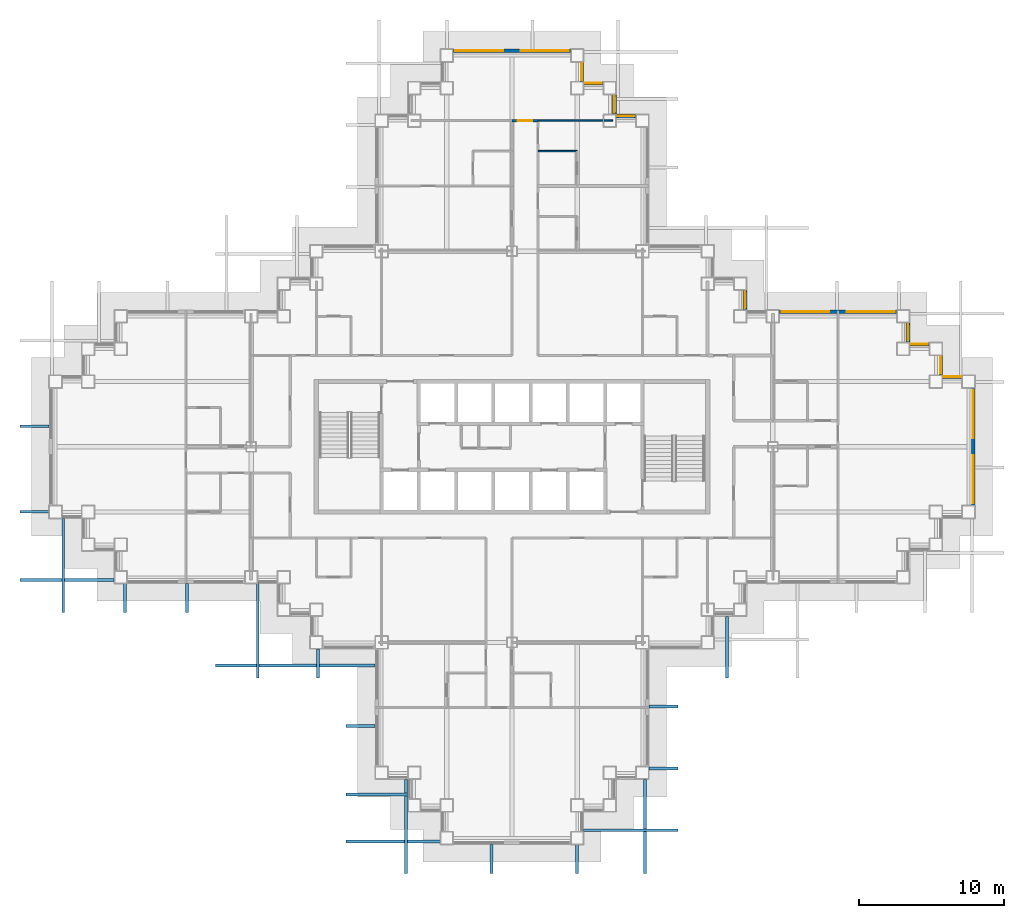
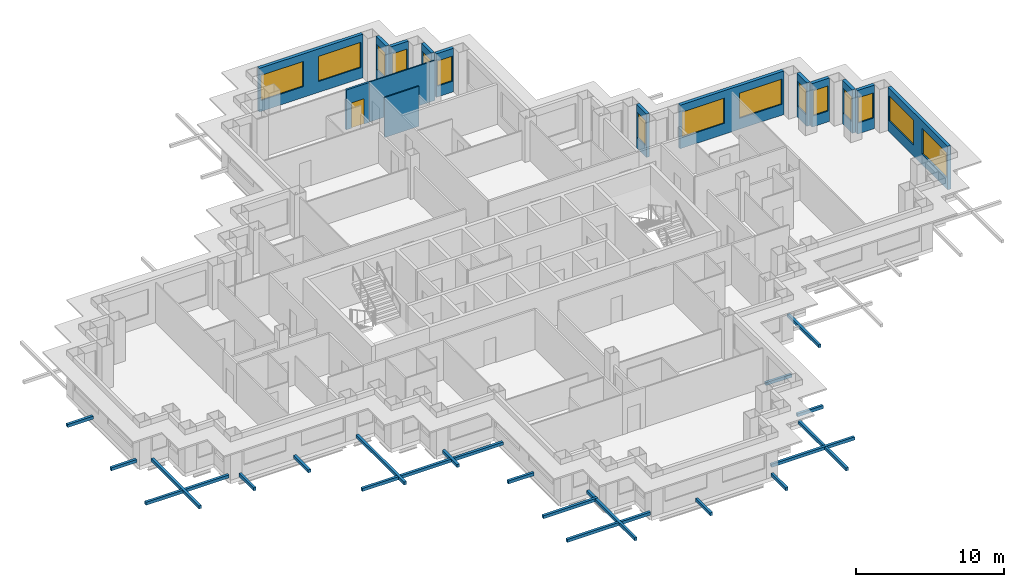
# One storey, part 9 of 15: 20 discrete accessories, 15 walls, 15 windows, 1 door, 16 openings.
"""IFC4 building model written with IfcOpenShell, lengths in metres."""

from ifc_helpers import new_model, si_unit, direction, frame, frame_2d, origin, origin_2d, place, context, subcontext, project, spatial, rectangle, extrude, material, layer, layer_set, type_object, element, fill, save


model = new_model("IFC4")

# Units and contexts
model_context = context("Model", 3, precision=1e-05, world=origin(), true_north=direction((0.0, 1.0)))
body_context = subcontext(model_context, "Body", "Model", "MODEL_VIEW")
ifc_project = project(units=[si_unit("LENGTHUNIT", "METRE"), si_unit("AREAUNIT", "SQUARE_METRE"), si_unit("VOLUMEUNIT", "CUBIC_METRE"), si_unit("PLANEANGLEUNIT", "RADIAN"), si_unit("MASSUNIT", "GRAM", prefix="KILO")], contexts=[model_context])

# Site, building, storey
site_placement = place(None, origin())
site = spatial("IfcSite", under=ifc_project, at=site_placement, CompositionType="ELEMENT")
building_placement = place(site_placement, origin())
building = spatial("IfcBuilding", under=site, at=building_placement, Name="Caravel Reach Hotel and Residences", CompositionType="ELEMENT")
storey_placement = place(building_placement, frame((0.0, 0.0, 111.60009765625)))
storey = spatial("IfcBuildingStorey", under=building, at=storey_placement, Name="L27", CompositionType="ELEMENT", Elevation=111.60009765625)

# Wall
ifc_material_1 = material(Name="Gypsum board on steel stud", Category="steel")
ifc_layer_1 = layer(ifc_material_1, 0.10009765625)
ifc_layer_set_1 = layer_set([ifc_layer_1], Name="Bathroom pod wall 100 mm")
wall_type_1 = type_object("IfcWallType", Name="Bathroom pod wall 100 mm", PredefinedType="PARTITIONING", material=ifc_layer_set_1)
wall_1_placement = place(storey_placement, frame((33.300048828125, 47.39990234375, 0.0), z_axis=(0.0, 0.0, 1.0), x_axis=(1.0, 0.0, 0.0)))
element("IfcWall", 1, at=wall_1_placement, inside=storey, type_object=wall_type_1, Name="L27 wall w078", PredefinedType="PARTITIONING", context=body_context, shape_type="SweptSolid", body=[
    extrude(rectangle(XDim=2.699951171875, YDim=0.10009765625, at=frame_2d((1.35009765625, 0.0))), origin(), (0.0, 0.0, 1.0), 3.2998046875),
])

# Wall, opening, door
ifc_material_2 = material(Name="Gypsum board on steel stud, fire-rated", Category="steel")
ifc_layer_2 = layer(ifc_material_2, 0.14990234375)
ifc_layer_set_2 = layer_set([ifc_layer_2], Name="Corridor wall 150 mm EI 60")
wall_type_2 = type_object("IfcWallType", Name="Corridor wall 150 mm EI 60", PredefinedType="PARTITIONING", material=ifc_layer_set_2)
wall_2_placement = place(storey_placement, frame((31.5, 49.5, 0.0), z_axis=(0.0, 0.0, 1.0), x_axis=(1.0, 0.0, 0.0)))
wall_2 = element("IfcWall", 2, at=wall_2_placement, inside=storey, type_object=wall_type_2, Name="L27 wall w019", PredefinedType="PARTITIONING", context=body_context, shape_type="SweptSolid", body=[
    extrude(rectangle(XDim=1.800048828125, YDim=0.14990234375, at=frame_2d((0.89990234375, 0.0))), origin(), (0.0, 0.0, 1.0), 3.2998046875),
])
opening_1_placement = place(wall_2_placement, frame((0.39990234375, 0.0, 0.0)))
opening_1 = element("IfcOpeningElement", 3, at=opening_1_placement, cuts=wall_2, Name="Opening D27-037", PredefinedType="OPENING", context=body_context, shape_type="SweptSolid", body=[
    extrude(rectangle(XDim=1.0, YDim=2.10009765625, at=frame_2d((0.5, 1.050048828125))), frame((0.0, 0.0849609375, 0.0), z_axis=(0.0, -1.0, 0.0), x_axis=(1.0, 0.0, 0.0)), (0.0, 0.0, 1.0), 0.169921875),
])
ifc_material_3 = material(Name="Steel fire door leaf", Category="steel")
door_type = type_object("IfcDoorType", Name="Guest room door 1000 x 2100 EI 30", OperationType="SINGLE_SWING_LEFT", PredefinedType="DOOR", material=ifc_material_3)
door_placement = place(opening_1_placement, origin())
door = element("IfcDoor", 4, at=door_placement, inside=storey, type_object=door_type, Name="door D27-037", OperationType="SINGLE_SWING_LEFT", OverallHeight=2.10009765625, OverallWidth=1.0, PredefinedType="DOOR", context=body_context, shape_type="SweptSolid", body=[
    extrude(rectangle(XDim=1.0, YDim=2.10009765625, at=frame_2d((0.5, 1.050048828125))), frame((0.0, 0.02490234375, 0.0), z_axis=(0.0, -1.0, 0.0), x_axis=(1.0, 0.0, 0.0)), (0.0, 0.0, 1.0), 0.050048828125),
])
fill(opening_1, door)

# Wall, openings, windows
ifc_material_4 = material(Name="Insulated rainscreen wall, aluminium cladding", Category="aluminium")
ifc_layer_3 = layer(ifc_material_4, 0.25)
ifc_layer_set_3 = layer_set([ifc_layer_3], Name="EW1 Tower rainscreen wall")
wall_type_3 = type_object("IfcWallType", Name="EW1 Tower rainscreen wall", PredefinedType="SOLIDWALL", material=ifc_layer_set_3)
wall_3_placement = place(storey_placement, frame((63.324951171875, 22.949951171875, 0.0), z_axis=(0.0, 0.0, 1.0), x_axis=(0.0, 1.0, 0.0)))
wall_3 = element("IfcWall", 5, at=wall_3_placement, inside=storey, type_object=wall_type_3, Name="External wall L27 E20.1", PredefinedType="SOLIDWALL", context=body_context, shape_type="SweptSolid", body=[
    extrude(rectangle(XDim=8.10009765625, YDim=0.25, at=frame_2d((4.050048828125, 0.0))), origin(), (0.0, 0.0, 1.0), 3.599853515625),
])
opening_2_placement = place(wall_3_placement, frame((0.14990234375, 0.0, 0.89990234375)))
opening_2 = element("IfcOpeningElement", 6, at=opening_2_placement, cuts=wall_3, Name="Opening WN4", PredefinedType="OPENING", context=body_context, shape_type="SweptSolid", body=[
    extrude(rectangle(XDim=3.300048828125, YDim=2.080078125, at=frame_2d((1.64990234375, 1.0400390625))), frame((0.0, 0.135009765625, 0.0), z_axis=(0.0, -1.0, 0.0), x_axis=(1.0, 0.0, 0.0)), (0.0, 0.0, 1.0), 0.27001953125),
])
opening_3_placement = place(wall_3_placement, frame((4.64990234375, 0.0, 0.89990234375)))
opening_3 = element("IfcOpeningElement", 7, at=opening_3_placement, cuts=wall_3, Name="Opening WN4", PredefinedType="OPENING", context=body_context, shape_type="SweptSolid", body=[
    extrude(rectangle(XDim=3.300048828125, YDim=2.080078125, at=frame_2d((1.64990234375, 1.0400390625))), frame((0.0, 0.135009765625, 0.0), z_axis=(0.0, -1.0, 0.0), x_axis=(1.0, 0.0, 0.0)), (0.0, 0.0, 1.0), 0.27001953125),
])
ifc_material_5 = material(Name="Dark low-e glazing in black aluminium frame", Category="aluminium")
window_type_1 = type_object("IfcWindowType", Name="Hotel guest room window 3300 x 2080", PartitioningType="SINGLE_PANEL", PredefinedType="WINDOW", material=ifc_material_5)
window_1_placement = place(opening_2_placement, origin())
window_1 = element("IfcWindow", 8, at=window_1_placement, inside=storey, type_object=window_type_1, Name="Window L27 E20.1.1", OverallHeight=2.080078125, OverallWidth=3.300048828125, PartitioningType="SINGLE_PANEL", PredefinedType="WINDOW", context=body_context, shape_type="SweptSolid", body=[
    extrude(rectangle(XDim=3.300048828125, YDim=2.080078125, at=frame_2d((1.64990234375, 1.0400390625))), frame((0.0, 0.030029296875, 0.0), z_axis=(0.0, -1.0, 0.0), x_axis=(1.0, 0.0, 0.0)), (0.0, 0.0, 1.0), 0.06005859375),
])
fill(opening_2, window_1)
window_2_placement = place(opening_3_placement, origin())
window_2 = element("IfcWindow", 9, at=window_2_placement, inside=storey, type_object=window_type_1, Name="Window L27 E20.1.2", OverallHeight=2.080078125, OverallWidth=3.300048828125, PartitioningType="SINGLE_PANEL", PredefinedType="WINDOW", context=body_context, shape_type="SweptSolid", body=[
    extrude(rectangle(XDim=3.300048828125, YDim=2.080078125, at=frame_2d((1.64990234375, 1.0400390625))), frame((0.0, 0.030029296875, 0.0), z_axis=(0.0, -1.0, 0.0), x_axis=(1.0, 0.0, 0.0)), (0.0, 0.0, 1.0), 0.06005859375),
])
fill(opening_3, window_2)

# Wall, opening, window
wall_4_placement = place(storey_placement, frame((62.550048828125, 31.824951171875, 0.0), z_axis=(0.0, 0.0, 1.0), x_axis=(-1.0, 0.0, 0.0)))
wall_4 = element("IfcWall", 10, at=wall_4_placement, inside=storey, type_object=wall_type_3, Name="External wall L27 N21.1", PredefinedType="SOLIDWALL", context=body_context, shape_type="SweptSolid", body=[
    extrude(rectangle(XDim=1.35009765625, YDim=0.25, at=frame_2d((0.675048828125, 0.0))), origin(), (0.0, 0.0, 1.0), 3.599853515625),
])
opening_4_placement = place(wall_4_placement, frame((0.10009765625, 0.0, 0.89990234375)))
opening_4 = element("IfcOpeningElement", 11, at=opening_4_placement, cuts=wall_4, Name="Opening WN8", PredefinedType="OPENING", context=body_context, shape_type="SweptSolid", body=[
    extrude(rectangle(XDim=1.14990234375, YDim=2.080078125, at=frame_2d((0.574951171875, 1.0400390625))), frame((0.0, 0.135009765625, 0.0), z_axis=(0.0, -1.0, 0.0), x_axis=(1.0, 0.0, 0.0)), (0.0, 0.0, 1.0), 0.27001953125),
])
ifc_material_6 = material(Name="Dark low-e glazing in black aluminium frame", Category="aluminium")
window_type_2 = type_object("IfcWindowType", Name="Hotel suite corner window 1150 x 2080", PartitioningType="SINGLE_PANEL", PredefinedType="WINDOW", material=ifc_material_6)
window_3_placement = place(opening_4_placement, origin())
window_3 = element("IfcWindow", 12, at=window_3_placement, inside=storey, type_object=window_type_2, Name="Window L27 N21.1.1", OverallHeight=2.080078125, OverallWidth=1.14990234375, PartitioningType="SINGLE_PANEL", PredefinedType="WINDOW", context=body_context, shape_type="SweptSolid", body=[
    extrude(rectangle(XDim=1.14990234375, YDim=2.080078125, at=frame_2d((0.574951171875, 1.0400390625))), frame((0.0, 0.030029296875, 0.0), z_axis=(0.0, -1.0, 0.0), x_axis=(1.0, 0.0, 0.0)), (0.0, 0.0, 1.0), 0.06005859375),
])
fill(opening_4, window_3)

wall_5_placement = place(storey_placement, frame((61.074951171875, 31.949951171875, 0.0), z_axis=(0.0, 0.0, 1.0), x_axis=(0.0, 1.0, 0.0)))
wall_5 = element("IfcWall", 13, at=wall_5_placement, inside=storey, type_object=wall_type_3, Name="External wall L27 E22.1", PredefinedType="SOLIDWALL", context=body_context, shape_type="SweptSolid", body=[
    extrude(rectangle(XDim=1.35009765625, YDim=0.25, at=frame_2d((0.675048828125, 0.0))), origin(), (0.0, 0.0, 1.0), 3.599853515625),
])
opening_5_placement = place(wall_5_placement, frame((0.10009765625, 0.0, 0.89990234375)))
opening_5 = element("IfcOpeningElement", 14, at=opening_5_placement, cuts=wall_5, Name="Opening WN8", PredefinedType="OPENING", context=body_context, shape_type="SweptSolid", body=[
    extrude(rectangle(XDim=1.14990234375, YDim=2.080078125, at=frame_2d((0.574951171875, 1.0400390625))), frame((0.0, 0.135009765625, 0.0), z_axis=(0.0, -1.0, 0.0), x_axis=(1.0, 0.0, 0.0)), (0.0, 0.0, 1.0), 0.27001953125),
])
window_4_placement = place(opening_5_placement, origin())
window_4 = element("IfcWindow", 15, at=window_4_placement, inside=storey, type_object=window_type_2, Name="Window L27 E22.1.1", OverallHeight=2.080078125, OverallWidth=1.14990234375, PartitioningType="SINGLE_PANEL", PredefinedType="WINDOW", context=body_context, shape_type="SweptSolid", body=[
    extrude(rectangle(XDim=1.14990234375, YDim=2.080078125, at=frame_2d((0.574951171875, 1.0400390625))), frame((0.0, 0.030029296875, 0.0), z_axis=(0.0, -1.0, 0.0), x_axis=(1.0, 0.0, 0.0)), (0.0, 0.0, 1.0), 0.06005859375),
])
fill(opening_5, window_4)

wall_6_placement = place(storey_placement, frame((60.300048828125, 34.074951171875, 0.0), z_axis=(0.0, 0.0, 1.0), x_axis=(-1.0, 0.0, 0.0)))
wall_6 = element("IfcWall", 16, at=wall_6_placement, inside=storey, type_object=wall_type_3, Name="External wall L27 N23.1", PredefinedType="SOLIDWALL", context=body_context, shape_type="SweptSolid", body=[
    extrude(rectangle(XDim=1.35009765625, YDim=0.25, at=frame_2d((0.675048828125, 0.0))), origin(), (0.0, 0.0, 1.0), 3.599853515625),
])
opening_6_placement = place(wall_6_placement, frame((0.10009765625, 0.0, 0.89990234375)))
opening_6 = element("IfcOpeningElement", 17, at=opening_6_placement, cuts=wall_6, Name="Opening WN8", PredefinedType="OPENING", context=body_context, shape_type="SweptSolid", body=[
    extrude(rectangle(XDim=1.14990234375, YDim=2.080078125, at=frame_2d((0.574951171875, 1.0400390625))), frame((0.0, 0.135009765625, 0.0), z_axis=(0.0, -1.0, 0.0), x_axis=(1.0, 0.0, 0.0)), (0.0, 0.0, 1.0), 0.27001953125),
])
window_5_placement = place(opening_6_placement, origin())
window_5 = element("IfcWindow", 18, at=window_5_placement, inside=storey, type_object=window_type_2, Name="Window L27 N23.1.1", OverallHeight=2.080078125, OverallWidth=1.14990234375, PartitioningType="SINGLE_PANEL", PredefinedType="WINDOW", context=body_context, shape_type="SweptSolid", body=[
    extrude(rectangle(XDim=1.14990234375, YDim=2.080078125, at=frame_2d((0.574951171875, 1.0400390625))), frame((0.0, 0.030029296875, 0.0), z_axis=(0.0, -1.0, 0.0), x_axis=(1.0, 0.0, 0.0)), (0.0, 0.0, 1.0), 0.06005859375),
])
fill(opening_6, window_5)

wall_7_placement = place(storey_placement, frame((58.824951171875, 34.199951171875, 0.0), z_axis=(0.0, 0.0, 1.0), x_axis=(0.0, 1.0, 0.0)))
wall_7 = element("IfcWall", 19, at=wall_7_placement, inside=storey, type_object=wall_type_3, Name="External wall L27 E24.1", PredefinedType="SOLIDWALL", context=body_context, shape_type="SweptSolid", body=[
    extrude(rectangle(XDim=1.35009765625, YDim=0.25, at=frame_2d((0.675048828125, 0.0))), origin(), (0.0, 0.0, 1.0), 3.599853515625),
])
opening_7_placement = place(wall_7_placement, frame((0.10009765625, 0.0, 0.89990234375)))
opening_7 = element("IfcOpeningElement", 20, at=opening_7_placement, cuts=wall_7, Name="Opening WN8", PredefinedType="OPENING", context=body_context, shape_type="SweptSolid", body=[
    extrude(rectangle(XDim=1.14990234375, YDim=2.080078125, at=frame_2d((0.574951171875, 1.0400390625))), frame((0.0, 0.135009765625, 0.0), z_axis=(0.0, -1.0, 0.0), x_axis=(1.0, 0.0, 0.0)), (0.0, 0.0, 1.0), 0.27001953125),
])
window_6_placement = place(opening_7_placement, origin())
window_6 = element("IfcWindow", 21, at=window_6_placement, inside=storey, type_object=window_type_2, Name="Window L27 E24.1.1", OverallHeight=2.080078125, OverallWidth=1.14990234375, PartitioningType="SINGLE_PANEL", PredefinedType="WINDOW", context=body_context, shape_type="SweptSolid", body=[
    extrude(rectangle(XDim=1.14990234375, YDim=2.080078125, at=frame_2d((0.574951171875, 1.0400390625))), frame((0.0, 0.030029296875, 0.0), z_axis=(0.0, -1.0, 0.0), x_axis=(1.0, 0.0, 0.0)), (0.0, 0.0, 1.0), 0.06005859375),
])
fill(opening_7, window_6)

# Wall, openings, windows
wall_8_placement = place(storey_placement, frame((58.050048828125, 36.324951171875, 0.0), z_axis=(0.0, 0.0, 1.0), x_axis=(-1.0, 0.0, 0.0)))
wall_8 = element("IfcWall", 22, at=wall_8_placement, inside=storey, type_object=wall_type_3, Name="External wall L27 N25.1", PredefinedType="SOLIDWALL", context=body_context, shape_type="SweptSolid", body=[
    extrude(rectangle(XDim=8.10009765625, YDim=0.25, at=frame_2d((4.050048828125, 0.0))), origin(), (0.0, 0.0, 1.0), 3.599853515625),
])
opening_8_placement = place(wall_8_placement, frame((0.14990234375, 0.0, 0.89990234375)))
opening_8 = element("IfcOpeningElement", 23, at=opening_8_placement, cuts=wall_8, Name="Opening WN4", PredefinedType="OPENING", context=body_context, shape_type="SweptSolid", body=[
    extrude(rectangle(XDim=3.300048828125, YDim=2.080078125, at=frame_2d((1.64990234375, 1.0400390625))), frame((0.0, 0.135009765625, 0.0), z_axis=(0.0, -1.0, 0.0), x_axis=(1.0, 0.0, 0.0)), (0.0, 0.0, 1.0), 0.27001953125),
])
opening_9_placement = place(wall_8_placement, frame((4.64990234375, 0.0, 0.89990234375)))
opening_9 = element("IfcOpeningElement", 24, at=opening_9_placement, cuts=wall_8, Name="Opening WN4", PredefinedType="OPENING", context=body_context, shape_type="SweptSolid", body=[
    extrude(rectangle(XDim=3.300048828125, YDim=2.080078125, at=frame_2d((1.64990234375, 1.0400390625))), frame((0.0, 0.135009765625, 0.0), z_axis=(0.0, -1.0, 0.0), x_axis=(1.0, 0.0, 0.0)), (0.0, 0.0, 1.0), 0.27001953125),
])
window_7_placement = place(opening_8_placement, origin())
window_7 = element("IfcWindow", 25, at=window_7_placement, inside=storey, type_object=window_type_1, Name="Window L27 N25.1.1", OverallHeight=2.080078125, OverallWidth=3.300048828125, PartitioningType="SINGLE_PANEL", PredefinedType="WINDOW", context=body_context, shape_type="SweptSolid", body=[
    extrude(rectangle(XDim=3.300048828125, YDim=2.080078125, at=frame_2d((1.64990234375, 1.0400390625))), frame((0.0, 0.030029296875, 0.0), z_axis=(0.0, -1.0, 0.0), x_axis=(1.0, 0.0, 0.0)), (0.0, 0.0, 1.0), 0.06005859375),
])
fill(opening_8, window_7)
window_8_placement = place(opening_9_placement, origin())
window_8 = element("IfcWindow", 26, at=window_8_placement, inside=storey, type_object=window_type_1, Name="Window L27 N25.1.2", OverallHeight=2.080078125, OverallWidth=3.300048828125, PartitioningType="SINGLE_PANEL", PredefinedType="WINDOW", context=body_context, shape_type="SweptSolid", body=[
    extrude(rectangle(XDim=3.300048828125, YDim=2.080078125, at=frame_2d((1.64990234375, 1.0400390625))), frame((0.0, 0.030029296875, 0.0), z_axis=(0.0, -1.0, 0.0), x_axis=(1.0, 0.0, 0.0)), (0.0, 0.0, 1.0), 0.06005859375),
])
fill(opening_9, window_8)

# Wall, opening, window
wall_9_placement = place(storey_placement, frame((47.574951171875, 36.449951171875, 0.0), z_axis=(0.0, 0.0, 1.0), x_axis=(0.0, 1.0, 0.0)))
wall_9 = element("IfcWall", 27, at=wall_9_placement, inside=storey, type_object=wall_type_3, Name="External wall L27 E26.1", PredefinedType="SOLIDWALL", context=body_context, shape_type="SweptSolid", body=[
    extrude(rectangle(XDim=1.35009765625, YDim=0.25, at=frame_2d((0.675048828125, 0.0))), origin(), (0.0, 0.0, 1.0), 3.599853515625),
])
opening_10_placement = place(wall_9_placement, frame((0.10009765625, 0.0, 0.89990234375)))
opening_10 = element("IfcOpeningElement", 28, at=opening_10_placement, cuts=wall_9, Name="Opening WN8", PredefinedType="OPENING", context=body_context, shape_type="SweptSolid", body=[
    extrude(rectangle(XDim=1.14990234375, YDim=2.080078125, at=frame_2d((0.574951171875, 1.0400390625))), frame((0.0, 0.135009765625, 0.0), z_axis=(0.0, -1.0, 0.0), x_axis=(1.0, 0.0, 0.0)), (0.0, 0.0, 1.0), 0.27001953125),
])
window_9_placement = place(opening_10_placement, origin())
window_9 = element("IfcWindow", 29, at=window_9_placement, inside=storey, type_object=window_type_2, Name="Window L27 E26.1.1", OverallHeight=2.080078125, OverallWidth=1.14990234375, PartitioningType="SINGLE_PANEL", PredefinedType="WINDOW", context=body_context, shape_type="SweptSolid", body=[
    extrude(rectangle(XDim=1.14990234375, YDim=2.080078125, at=frame_2d((0.574951171875, 1.0400390625))), frame((0.0, 0.030029296875, 0.0), z_axis=(0.0, -1.0, 0.0), x_axis=(1.0, 0.0, 0.0)), (0.0, 0.0, 1.0), 0.06005859375),
])
fill(opening_10, window_9)

wall_10_placement = place(storey_placement, frame((40.050048828125, 49.824951171875, 0.0), z_axis=(0.0, 0.0, 1.0), x_axis=(-1.0, 0.0, 0.0)))
wall_10 = element("IfcWall", 30, at=wall_10_placement, inside=storey, type_object=wall_type_3, Name="External wall L27 N31.1", PredefinedType="SOLIDWALL", context=body_context, shape_type="SweptSolid", body=[
    extrude(rectangle(XDim=1.35009765625, YDim=0.25, at=frame_2d((0.675048828125, 0.0))), origin(), (0.0, 0.0, 1.0), 3.599853515625),
])
opening_11_placement = place(wall_10_placement, frame((0.10009765625, 0.0, 0.89990234375)))
opening_11 = element("IfcOpeningElement", 31, at=opening_11_placement, cuts=wall_10, Name="Opening WN8", PredefinedType="OPENING", context=body_context, shape_type="SweptSolid", body=[
    extrude(rectangle(XDim=1.14990234375, YDim=2.080078125, at=frame_2d((0.574951171875, 1.0400390625))), frame((0.0, 0.135009765625, 0.0), z_axis=(0.0, -1.0, 0.0), x_axis=(1.0, 0.0, 0.0)), (0.0, 0.0, 1.0), 0.27001953125),
])
window_10_placement = place(opening_11_placement, origin())
window_10 = element("IfcWindow", 32, at=window_10_placement, inside=storey, type_object=window_type_2, Name="Window L27 N31.1.1", OverallHeight=2.080078125, OverallWidth=1.14990234375, PartitioningType="SINGLE_PANEL", PredefinedType="WINDOW", context=body_context, shape_type="SweptSolid", body=[
    extrude(rectangle(XDim=1.14990234375, YDim=2.080078125, at=frame_2d((0.574951171875, 1.0400390625))), frame((0.0, 0.030029296875, 0.0), z_axis=(0.0, -1.0, 0.0), x_axis=(1.0, 0.0, 0.0)), (0.0, 0.0, 1.0), 0.06005859375),
])
fill(opening_11, window_10)

wall_11_placement = place(storey_placement, frame((38.574951171875, 49.949951171875, 0.0), z_axis=(0.0, 0.0, 1.0), x_axis=(0.0, 1.0, 0.0)))
wall_11 = element("IfcWall", 33, at=wall_11_placement, inside=storey, type_object=wall_type_3, Name="External wall L27 E32.1", PredefinedType="SOLIDWALL", context=body_context, shape_type="SweptSolid", body=[
    extrude(rectangle(XDim=1.35009765625, YDim=0.25, at=frame_2d((0.675048828125, 0.0))), origin(), (0.0, 0.0, 1.0), 3.599853515625),
])
opening_12_placement = place(wall_11_placement, frame((0.10009765625, 0.0, 0.89990234375)))
opening_12 = element("IfcOpeningElement", 34, at=opening_12_placement, cuts=wall_11, Name="Opening WN8", PredefinedType="OPENING", context=body_context, shape_type="SweptSolid", body=[
    extrude(rectangle(XDim=1.14990234375, YDim=2.080078125, at=frame_2d((0.574951171875, 1.0400390625))), frame((0.0, 0.135009765625, 0.0), z_axis=(0.0, -1.0, 0.0), x_axis=(1.0, 0.0, 0.0)), (0.0, 0.0, 1.0), 0.27001953125),
])
window_11_placement = place(opening_12_placement, origin())
window_11 = element("IfcWindow", 35, at=window_11_placement, inside=storey, type_object=window_type_2, Name="Window L27 E32.1.1", OverallHeight=2.080078125, OverallWidth=1.14990234375, PartitioningType="SINGLE_PANEL", PredefinedType="WINDOW", context=body_context, shape_type="SweptSolid", body=[
    extrude(rectangle(XDim=1.14990234375, YDim=2.080078125, at=frame_2d((0.574951171875, 1.0400390625))), frame((0.0, 0.030029296875, 0.0), z_axis=(0.0, -1.0, 0.0), x_axis=(1.0, 0.0, 0.0)), (0.0, 0.0, 1.0), 0.06005859375),
])
fill(opening_12, window_11)

wall_12_placement = place(storey_placement, frame((37.800048828125, 52.074951171875, 0.0), z_axis=(0.0, 0.0, 1.0), x_axis=(-1.0, 0.0, 0.0)))
wall_12 = element("IfcWall", 36, at=wall_12_placement, inside=storey, type_object=wall_type_3, Name="External wall L27 N33.1", PredefinedType="SOLIDWALL", context=body_context, shape_type="SweptSolid", body=[
    extrude(rectangle(XDim=1.35009765625, YDim=0.25, at=frame_2d((0.675048828125, 0.0))), origin(), (0.0, 0.0, 1.0), 3.599853515625),
])
opening_13_placement = place(wall_12_placement, frame((0.10009765625, 0.0, 0.89990234375)))
opening_13 = element("IfcOpeningElement", 37, at=opening_13_placement, cuts=wall_12, Name="Opening WN8", PredefinedType="OPENING", context=body_context, shape_type="SweptSolid", body=[
    extrude(rectangle(XDim=1.14990234375, YDim=2.080078125, at=frame_2d((0.574951171875, 1.0400390625))), frame((0.0, 0.135009765625, 0.0), z_axis=(0.0, -1.0, 0.0), x_axis=(1.0, 0.0, 0.0)), (0.0, 0.0, 1.0), 0.27001953125),
])
window_12_placement = place(opening_13_placement, origin())
window_12 = element("IfcWindow", 38, at=window_12_placement, inside=storey, type_object=window_type_2, Name="Window L27 N33.1.1", OverallHeight=2.080078125, OverallWidth=1.14990234375, PartitioningType="SINGLE_PANEL", PredefinedType="WINDOW", context=body_context, shape_type="SweptSolid", body=[
    extrude(rectangle(XDim=1.14990234375, YDim=2.080078125, at=frame_2d((0.574951171875, 1.0400390625))), frame((0.0, 0.030029296875, 0.0), z_axis=(0.0, -1.0, 0.0), x_axis=(1.0, 0.0, 0.0)), (0.0, 0.0, 1.0), 0.06005859375),
])
fill(opening_13, window_12)

wall_13_placement = place(storey_placement, frame((36.324951171875, 52.199951171875, 0.0), z_axis=(0.0, 0.0, 1.0), x_axis=(0.0, 1.0, 0.0)))
wall_13 = element("IfcWall", 39, at=wall_13_placement, inside=storey, type_object=wall_type_3, Name="External wall L27 E34.1", PredefinedType="SOLIDWALL", context=body_context, shape_type="SweptSolid", body=[
    extrude(rectangle(XDim=1.35009765625, YDim=0.25, at=frame_2d((0.675048828125, 0.0))), origin(), (0.0, 0.0, 1.0), 3.599853515625),
])
opening_14_placement = place(wall_13_placement, frame((0.10009765625, 0.0, 0.89990234375)))
opening_14 = element("IfcOpeningElement", 40, at=opening_14_placement, cuts=wall_13, Name="Opening WN8", PredefinedType="OPENING", context=body_context, shape_type="SweptSolid", body=[
    extrude(rectangle(XDim=1.14990234375, YDim=2.080078125, at=frame_2d((0.574951171875, 1.0400390625))), frame((0.0, 0.135009765625, 0.0), z_axis=(0.0, -1.0, 0.0), x_axis=(1.0, 0.0, 0.0)), (0.0, 0.0, 1.0), 0.27001953125),
])
window_13_placement = place(opening_14_placement, origin())
window_13 = element("IfcWindow", 41, at=window_13_placement, inside=storey, type_object=window_type_2, Name="Window L27 E34.1.1", OverallHeight=2.080078125, OverallWidth=1.14990234375, PartitioningType="SINGLE_PANEL", PredefinedType="WINDOW", context=body_context, shape_type="SweptSolid", body=[
    extrude(rectangle(XDim=1.14990234375, YDim=2.080078125, at=frame_2d((0.574951171875, 1.0400390625))), frame((0.0, 0.030029296875, 0.0), z_axis=(0.0, -1.0, 0.0), x_axis=(1.0, 0.0, 0.0)), (0.0, 0.0, 1.0), 0.06005859375),
])
fill(opening_14, window_13)

# Wall, openings, windows
wall_14_placement = place(storey_placement, frame((35.550048828125, 54.324951171875, 0.0), z_axis=(0.0, 0.0, 1.0), x_axis=(-1.0, 0.0, 0.0)))
wall_14 = element("IfcWall", 42, at=wall_14_placement, inside=storey, type_object=wall_type_3, Name="External wall L27 N35.1", PredefinedType="SOLIDWALL", context=body_context, shape_type="SweptSolid", body=[
    extrude(rectangle(XDim=8.10009765625, YDim=0.25, at=frame_2d((4.050048828125, 0.0))), origin(), (0.0, 0.0, 1.0), 3.599853515625),
])
opening_15_placement = place(wall_14_placement, frame((0.14990234375, 0.0, 0.89990234375)))
opening_15 = element("IfcOpeningElement", 43, at=opening_15_placement, cuts=wall_14, Name="Opening WN4", PredefinedType="OPENING", context=body_context, shape_type="SweptSolid", body=[
    extrude(rectangle(XDim=3.300048828125, YDim=2.080078125, at=frame_2d((1.64990234375, 1.0400390625))), frame((0.0, 0.135009765625, 0.0), z_axis=(0.0, -1.0, 0.0), x_axis=(1.0, 0.0, 0.0)), (0.0, 0.0, 1.0), 0.27001953125),
])
opening_16_placement = place(wall_14_placement, frame((4.64990234375, 0.0, 0.89990234375)))
opening_16 = element("IfcOpeningElement", 44, at=opening_16_placement, cuts=wall_14, Name="Opening WN4", PredefinedType="OPENING", context=body_context, shape_type="SweptSolid", body=[
    extrude(rectangle(XDim=3.300048828125, YDim=2.080078125, at=frame_2d((1.64990234375, 1.0400390625))), frame((0.0, 0.135009765625, 0.0), z_axis=(0.0, -1.0, 0.0), x_axis=(1.0, 0.0, 0.0)), (0.0, 0.0, 1.0), 0.27001953125),
])
window_14_placement = place(opening_15_placement, origin())
window_14 = element("IfcWindow", 45, at=window_14_placement, inside=storey, type_object=window_type_1, Name="Window L27 N35.1.1", OverallHeight=2.080078125, OverallWidth=3.300048828125, PartitioningType="SINGLE_PANEL", PredefinedType="WINDOW", context=body_context, shape_type="SweptSolid", body=[
    extrude(rectangle(XDim=3.300048828125, YDim=2.080078125, at=frame_2d((1.64990234375, 1.0400390625))), frame((0.0, 0.030029296875, 0.0), z_axis=(0.0, -1.0, 0.0), x_axis=(1.0, 0.0, 0.0)), (0.0, 0.0, 1.0), 0.06005859375),
])
fill(opening_15, window_14)
window_15_placement = place(opening_16_placement, origin())
window_15 = element("IfcWindow", 46, at=window_15_placement, inside=storey, type_object=window_type_1, Name="Window L27 N35.1.2", OverallHeight=2.080078125, OverallWidth=3.300048828125, PartitioningType="SINGLE_PANEL", PredefinedType="WINDOW", context=body_context, shape_type="SweptSolid", body=[
    extrude(rectangle(XDim=3.300048828125, YDim=2.080078125, at=frame_2d((1.64990234375, 1.0400390625))), frame((0.0, 0.030029296875, 0.0), z_axis=(0.0, -1.0, 0.0), x_axis=(1.0, 0.0, 0.0)), (0.0, 0.0, 1.0), 0.06005859375),
])
fill(opening_16, window_15)

# Wall
ifc_material_7 = material(Name="Gypsum board on steel stud", Category="steel")
ifc_layer_4 = layer(ifc_material_7, 0.10009765625)
ifc_layer_set_4 = layer_set([ifc_layer_4], Name="Partition 100 mm")
wall_type_4 = type_object("IfcWallType", Name="Partition 100 mm", PredefinedType="PARTITIONING", material=ifc_layer_set_4)
wall_15_placement = place(storey_placement, frame((33.300048828125, 49.5, 0.0), z_axis=(0.0, 0.0, 1.0), x_axis=(1.0, 0.0, 0.0)))
element("IfcWall", 47, at=wall_15_placement, inside=storey, type_object=wall_type_4, Name="L27 wall w045", PredefinedType="PARTITIONING", context=body_context, shape_type="SweptSolid", body=[
    extrude(rectangle(XDim=5.139892578125, YDim=0.10009765625, at=frame_2d((2.56982421875, 0.0))), origin(), (0.0, 0.0, 1.0), 3.2998046875),
])

# Discrete accessories
ifc_material_8 = material(Name="Black powder-coated aluminium", Category="aluminium")
discrete_accessory_type = type_object("IfcDiscreteAccessoryType", Name="BR1 Screen bracket", PredefinedType="BRACKET", material=ifc_material_8)
discrete_accessory_1_placement = place(storey_placement, frame((21.050048828125, 7.736572265625, 0.099853515625), z_axis=(0.0, 0.0, 1.0), x_axis=(-1.0, 0.0, 0.0)))
element("IfcDiscreteAccessory", 48, at=discrete_accessory_1_placement, inside=storey, type_object=discrete_accessory_type, Name="Screen bracket L27 1.1.2", PredefinedType="BRACKET", context=body_context, shape_type="SweptSolid", body=[
    extrude(rectangle(XDim=2.0, YDim=0.199951171875, at=origin_2d()), origin(), (0.0, 0.0, 1.0), 0.25),
])
discrete_accessory_2_placement = place(storey_placement, frame((22.175048828125, 3.00341796875, 0.099853515625), z_axis=(0.0, 0.0, 1.0), x_axis=(-1.0, 0.0, 0.0)))
element("IfcDiscreteAccessory", 49, at=discrete_accessory_2_placement, inside=storey, type_object=discrete_accessory_type, Name="Screen bracket L27 1.2.2", PredefinedType="BRACKET", context=body_context, shape_type="SweptSolid", body=[
    extrude(rectangle(XDim=4.25, YDim=0.199951171875, at=origin_2d()), origin(), (0.0, 0.0, 1.0), 0.25),
])
for number, where, z_axis, x_axis, name in (
    (50, (23.300048828125, -0.22998046875, 0.099853515625), (0.0, 0.0, 1.0), (-1.0, 0.0, 0.0), "Screen bracket L27 1.3.2"),
    (51, (24.179931640625, 0.800048828125, 0.099853515625), (0.0, 0.0, 1.0), (0.0, -1.0, 0.0), "Screen bracket L27 2.1.2"),
):
    element("IfcDiscreteAccessory", number, at=place(storey_placement, frame(where, z_axis=z_axis, x_axis=x_axis)), inside=storey, type_object=discrete_accessory_type, Name=name, PredefinedType="BRACKET", context=body_context, shape_type="SweptSolid", body=[
        extrude(rectangle(XDim=6.5, YDim=0.199951171875, at=origin_2d()), origin(), (0.0, 0.0, 1.0), 0.25),
    ])
for number, where, z_axis, x_axis, name in (
    (52, (30.080078125, -1.449951171875, 0.099853515625), (0.0, 0.0, 1.0), (0.0, -1.0, 0.0), "Screen bracket L27 2.2.2"),
    (53, (35.97998046875, -1.449951171875, 0.099853515625), (0.0, 0.0, 1.0), (0.0, -1.0, 0.0), "Screen bracket L27 2.3.2"),
):
    element("IfcDiscreteAccessory", number, at=place(storey_placement, frame(where, z_axis=z_axis, x_axis=x_axis)), inside=storey, type_object=discrete_accessory_type, Name=name, PredefinedType="BRACKET", context=body_context, shape_type="SweptSolid", body=[
        extrude(rectangle(XDim=2.0, YDim=0.199951171875, at=origin_2d()), origin(), (0.0, 0.0, 1.0), 0.25),
    ])
for number, where, z_axis, x_axis, name in (
    (54, (40.679931640625, 0.800048828125, 0.099853515625), (0.0, 0.0, 1.0), (0.0, -1.0, 0.0), "Screen bracket L27 2.4.2"),
    (55, (39.699951171875, 0.53662109375, 0.099853515625), (0.0, 0.0, 1.0), (1.0, 0.0, 0.0), "Screen bracket L27 3.1.2"),
):
    element("IfcDiscreteAccessory", number, at=place(storey_placement, frame(where, z_axis=z_axis, x_axis=x_axis)), inside=storey, type_object=discrete_accessory_type, Name=name, PredefinedType="BRACKET", context=body_context, shape_type="SweptSolid", body=[
        extrude(rectangle(XDim=6.5, YDim=0.199951171875, at=origin_2d()), origin(), (0.0, 0.0, 1.0), 0.25),
    ])
for number, where, z_axis, x_axis, name in (
    (56, (41.949951171875, 4.80322265625, 0.099853515625), (0.0, 0.0, 1.0), (1.0, 0.0, 0.0), "Screen bracket L27 3.2.2"),
    (57, (41.949951171875, 9.070068359375, 0.099853515625), (0.0, 0.0, 1.0), (1.0, 0.0, 0.0), "Screen bracket L27 3.3.2"),
):
    element("IfcDiscreteAccessory", number, at=place(storey_placement, frame(where, z_axis=z_axis, x_axis=x_axis)), inside=storey, type_object=discrete_accessory_type, Name=name, PredefinedType="BRACKET", context=body_context, shape_type="SweptSolid", body=[
        extrude(rectangle(XDim=2.0, YDim=0.199951171875, at=origin_2d()), origin(), (0.0, 0.0, 1.0), 0.25),
    ])
discrete_accessory_3_placement = place(storey_placement, frame((46.344970703125, 13.175048828125, 0.099853515625), z_axis=(0.0, 0.0, 1.0), x_axis=(0.0, -1.0, 0.0)))
element("IfcDiscreteAccessory", 58, at=discrete_accessory_3_placement, inside=storey, type_object=discrete_accessory_type, Name="Screen bracket L27 4.1.2", PredefinedType="BRACKET", context=body_context, shape_type="SweptSolid", body=[
    extrude(rectangle(XDim=4.25, YDim=0.199951171875, at=origin_2d()), origin(), (0.0, 0.0, 1.0), 0.25),
])
for number, where, z_axis, x_axis, name in (
    (59, (-1.449951171875, 28.419921875, 0.099853515625), (0.0, 0.0, 1.0), (-1.0, 0.0, 0.0), "Screen bracket L27 17.2.2"),
    (60, (-1.449951171875, 22.52001953125, 0.099853515625), (0.0, 0.0, 1.0), (-1.0, 0.0, 0.0), "Screen bracket L27 17.3.2"),
):
    element("IfcDiscreteAccessory", number, at=place(storey_placement, frame(where, z_axis=z_axis, x_axis=x_axis)), inside=storey, type_object=discrete_accessory_type, Name=name, PredefinedType="BRACKET", context=body_context, shape_type="SweptSolid", body=[
        extrude(rectangle(XDim=2.0, YDim=0.199951171875, at=origin_2d()), origin(), (0.0, 0.0, 1.0), 0.25),
    ])
for number, where, z_axis, x_axis, name in (
    (61, (0.800048828125, 17.820068359375, 0.099853515625), (0.0, 0.0, 1.0), (-1.0, 0.0, 0.0), "Screen bracket L27 17.4.2"),
    (62, (0.53662109375, 18.800048828125, 0.099853515625), (0.0, 0.0, 1.0), (0.0, -1.0, 0.0), "Screen bracket L27 18.1.2"),
):
    element("IfcDiscreteAccessory", number, at=place(storey_placement, frame(where, z_axis=z_axis, x_axis=x_axis)), inside=storey, type_object=discrete_accessory_type, Name=name, PredefinedType="BRACKET", context=body_context, shape_type="SweptSolid", body=[
        extrude(rectangle(XDim=6.5, YDim=0.199951171875, at=origin_2d()), origin(), (0.0, 0.0, 1.0), 0.25),
    ])
for number, where, z_axis, x_axis, name in (
    (63, (4.80322265625, 16.550048828125, 0.099853515625), (0.0, 0.0, 1.0), (0.0, -1.0, 0.0), "Screen bracket L27 18.2.2"),
    (64, (9.070068359375, 16.550048828125, 0.099853515625), (0.0, 0.0, 1.0), (0.0, -1.0, 0.0), "Screen bracket L27 18.3.2"),
):
    element("IfcDiscreteAccessory", number, at=place(storey_placement, frame(where, z_axis=z_axis, x_axis=x_axis)), inside=storey, type_object=discrete_accessory_type, Name=name, PredefinedType="BRACKET", context=body_context, shape_type="SweptSolid", body=[
        extrude(rectangle(XDim=2.0, YDim=0.199951171875, at=origin_2d()), origin(), (0.0, 0.0, 1.0), 0.25),
    ])
discrete_accessory_4_placement = place(storey_placement, frame((16.550048828125, 11.909912109375, 0.099853515625), z_axis=(0.0, 0.0, 1.0), x_axis=(-1.0, 0.0, 0.0)))
element("IfcDiscreteAccessory", 65, at=discrete_accessory_4_placement, inside=storey, type_object=discrete_accessory_type, Name="Screen bracket L27 19.1.2", PredefinedType="BRACKET", context=body_context, shape_type="SweptSolid", body=[
    extrude(rectangle(XDim=11.0, YDim=0.199951171875, at=origin_2d()), origin(), (0.0, 0.0, 1.0), 0.25),
])
discrete_accessory_5_placement = place(storey_placement, frame((13.955078125, 14.300048828125, 0.099853515625), z_axis=(0.0, 0.0, 1.0), x_axis=(0.0, -1.0, 0.0)))
element("IfcDiscreteAccessory", 66, at=discrete_accessory_5_placement, inside=storey, type_object=discrete_accessory_type, Name="Screen bracket L27 20.1.2", PredefinedType="BRACKET", context=body_context, shape_type="SweptSolid", body=[
    extrude(rectangle(XDim=6.5, YDim=0.199951171875, at=origin_2d()), origin(), (0.0, 0.0, 1.0), 0.25),
])
discrete_accessory_6_placement = place(storey_placement, frame((18.10498046875, 12.050048828125, 0.099853515625), z_axis=(0.0, 0.0, 1.0), x_axis=(0.0, -1.0, 0.0)))
element("IfcDiscreteAccessory", 67, at=discrete_accessory_6_placement, inside=storey, type_object=discrete_accessory_type, Name="Screen bracket L27 20.2.2", PredefinedType="BRACKET", context=body_context, shape_type="SweptSolid", body=[
    extrude(rectangle(XDim=2.0, YDim=0.199951171875, at=origin_2d()), origin(), (0.0, 0.0, 1.0), 0.25),
])

save(model, "model.ifc")
